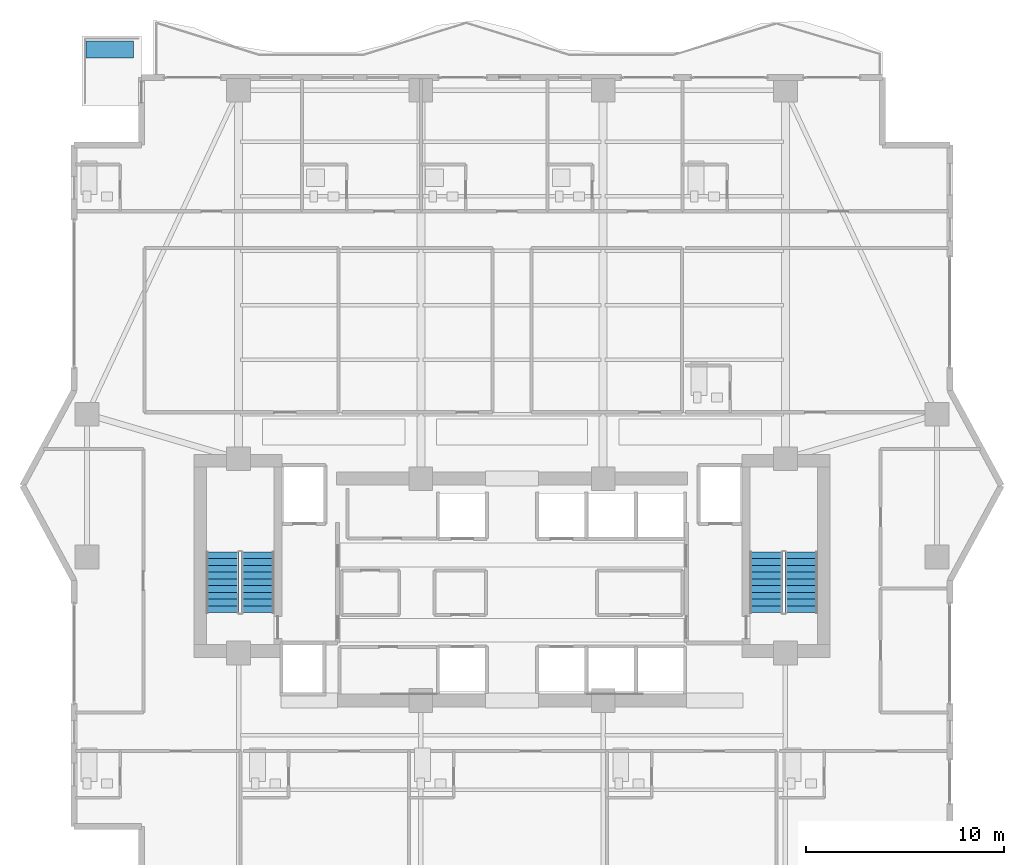
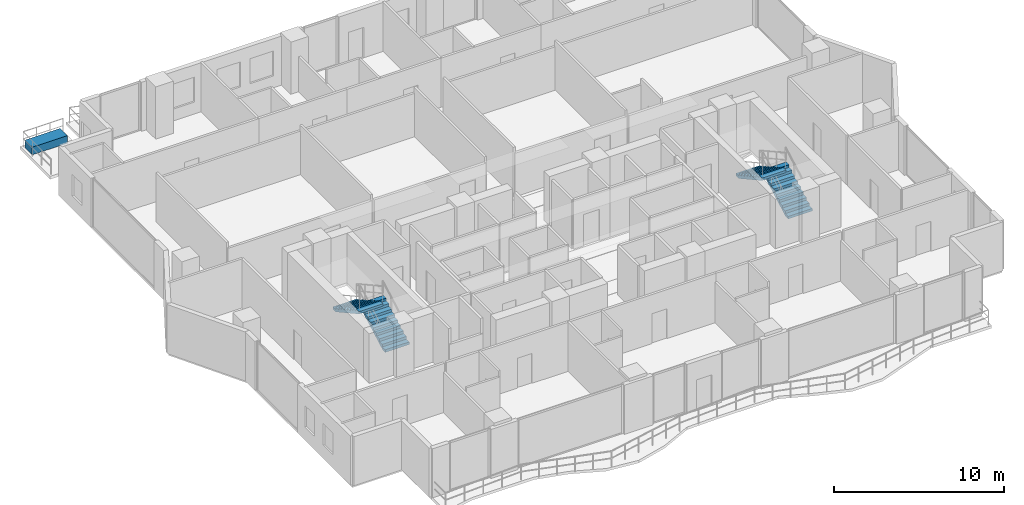
# One storey, part 28 of 32: 4 stair flights, 1 building element part, 2 elements without a shape of their own.
"""IFC4 building model written with IfcOpenShell, lengths in metres."""

from ifc_helpers import new_model, si_unit, direction, frame, origin, origin_2d, place, context, subcontext, project, spatial, polyline, rectangle, outline, extrude, material, layer, layer_set, type_object, element, aggregate, save


model = new_model("IFC4")

# Units and contexts
model_context = context("Model", 3, precision=1e-05, world=origin(), true_north=direction((0.0, 1.0)))
body_context = subcontext(model_context, "Body", "Model", "MODEL_VIEW")
ifc_project = project(units=[si_unit("LENGTHUNIT", "METRE"), si_unit("AREAUNIT", "SQUARE_METRE"), si_unit("VOLUMEUNIT", "CUBIC_METRE"), si_unit("PLANEANGLEUNIT", "RADIAN"), si_unit("MASSUNIT", "GRAM", prefix="KILO")], contexts=[model_context])

# Site, building, storey
site_placement = place(None, origin())
site = spatial("IfcSite", under=ifc_project, at=site_placement, CompositionType="ELEMENT")
building_placement = place(site_placement, origin())
building = spatial("IfcBuilding", under=site, at=building_placement, Name="Zuhayl Quay Hotel", CompositionType="ELEMENT")
storey_placement = place(building_placement, frame((0.0, 0.0, 181.14990234375)))
storey = spatial("IfcBuildingStorey", under=building, at=storey_placement, Name="L45", CompositionType="ELEMENT", Elevation=181.14990234375)

# Stair, stair flights
ifc_material_1 = material(Name="Concrete C45/55", Category="concrete")
stair_type = type_object("IfcStairType", Name="ST_DOGLEG_TOWER", PredefinedType="HALF_TURN_STAIR", material=ifc_material_1)
stair_1_placement = place(storey_placement, origin())
stair_1 = element("IfcStair", 1, at=stair_1_placement, inside=storey, type_object=stair_type, Name="L45 Smokeproof Exit Stair ST1", PredefinedType="HALF_TURN_STAIR")
ifc_layer_1 = layer(ifc_material_1, 0.159912109375, Name="Concrete C45/55", Category="concrete")
ifc_layer_set_1 = layer_set([ifc_layer_1], Name="Concrete C45/55")
stair_flight_type = type_object("IfcStairFlightType", Name="SF_CONC_164", PredefinedType="STRAIGHT", material=ifc_layer_set_1)
stair_flight_1_placement = place(storey_placement, frame((-12.820068359375, 6.590087890625, 0.0), z_axis=(0.0, 0.0, 1.0), x_axis=(0.0, 1.0, 0.0)))
stair_flight_1 = element("IfcStairFlight", 2, at=stair_flight_1_placement, type_object=stair_flight_type, Name="ST1 flight 1", NumberOfRisers=10, NumberOfTreads=9, PredefinedType="STRAIGHT", RiserHeight=0.1875, TreadLength=0.34, context=body_context, shape_type="SweptSolid", body=[
    extrude(outline(polyline([(0.0, 0.0), (0.0, 0.1875), (0.340087890625, 0.1875), (0.340087890625, 0.375), (0.679931640625, 0.375), (0.679931640625, 0.5625), (1.02001953125, 0.5625), (1.02001953125, 0.75), (1.360107421875, 0.75), (1.360107421875, 0.9375), (1.699951171875, 0.9375), (1.699951171875, 1.125), (2.0400390625, 1.125), (2.0400390625, 1.3125), (2.3798828125, 1.3125), (2.3798828125, 1.5), (2.719970703125, 1.5), (2.719970703125, 1.6875), (3.06005859375, 1.6875), (3.06005859375, 1.875), (3.06005859375, 1.516357421875), (0.310302734375, 0.0), (0.0, 0.0)])), frame((0.0, 0.81982421875, 0.0), z_axis=(0.0, -1.0, 0.0), x_axis=(1.0, 0.0, 0.0)), (0.0, 0.0, 1.0), 1.639892578125),
])
stair_flight_2_placement = place(storey_placement, frame((-14.610107421875, 9.64990234375, 1.875), z_axis=(0.0, 0.0, 1.0), x_axis=(0.0, -1.0, 0.0)))
stair_flight_2 = element("IfcStairFlight", 3, at=stair_flight_2_placement, type_object=stair_flight_type, Name="ST1 flight 2", NumberOfRisers=10, NumberOfTreads=9, PredefinedType="STRAIGHT", RiserHeight=0.1875, TreadLength=0.34, context=body_context, shape_type="SweptSolid", body=[
    extrude(outline(polyline([(0.0, 0.0), (0.0, 0.1875), (0.340087890625, 0.1875), (0.340087890625, 0.375), (0.679931640625, 0.375), (0.679931640625, 0.5625), (1.02001953125, 0.5625), (1.02001953125, 0.75), (1.360107421875, 0.75), (1.360107421875, 0.9375), (1.699951171875, 0.9375), (1.699951171875, 1.125), (2.0400390625, 1.125), (2.0400390625, 1.3125), (2.3798828125, 1.3125), (2.3798828125, 1.5), (2.719970703125, 1.5), (2.719970703125, 1.6875), (3.06005859375, 1.6875), (3.06005859375, 1.875), (3.06005859375, 1.516357421875), (0.310302734375, 0.0), (0.0, 0.0)])), frame((0.0, 0.81982421875, 0.0), z_axis=(0.0, -1.0, 0.0), x_axis=(1.0, 0.0, 0.0)), (0.0, 0.0, 1.0), 1.639892578125),
])
aggregate(stair_1, [stair_flight_1, stair_flight_2])

stair_2_placement = place(storey_placement, origin())
stair_2 = element("IfcStair", 4, at=stair_2_placement, inside=storey, type_object=stair_type, Name="L45 Smokeproof Exit Stair ST2", PredefinedType="HALF_TURN_STAIR")
stair_flight_3_placement = place(storey_placement, frame((14.610107421875, 6.590087890625, 0.0), z_axis=(0.0, 0.0, 1.0), x_axis=(0.0, 1.0, 0.0)))
stair_flight_3 = element("IfcStairFlight", 5, at=stair_flight_3_placement, type_object=stair_flight_type, Name="ST2 flight 1", NumberOfRisers=10, NumberOfTreads=9, PredefinedType="STRAIGHT", RiserHeight=0.1875, TreadLength=0.34, context=body_context, shape_type="SweptSolid", body=[
    extrude(outline(polyline([(0.0, 0.0), (0.0, 0.1875), (0.340087890625, 0.1875), (0.340087890625, 0.375), (0.679931640625, 0.375), (0.679931640625, 0.5625), (1.02001953125, 0.5625), (1.02001953125, 0.75), (1.360107421875, 0.75), (1.360107421875, 0.9375), (1.699951171875, 0.9375), (1.699951171875, 1.125), (2.0400390625, 1.125), (2.0400390625, 1.3125), (2.3798828125, 1.3125), (2.3798828125, 1.5), (2.719970703125, 1.5), (2.719970703125, 1.6875), (3.06005859375, 1.6875), (3.06005859375, 1.875), (3.06005859375, 1.516357421875), (0.310302734375, 0.0), (0.0, 0.0)])), frame((0.0, 0.81982421875, 0.0), z_axis=(0.0, -1.0, 0.0), x_axis=(1.0, 0.0, 0.0)), (0.0, 0.0, 1.0), 1.639892578125),
])
stair_flight_4_placement = place(storey_placement, frame((12.820068359375, 9.64990234375, 1.875), z_axis=(0.0, 0.0, 1.0), x_axis=(0.0, -1.0, 0.0)))
stair_flight_4 = element("IfcStairFlight", 6, at=stair_flight_4_placement, type_object=stair_flight_type, Name="ST2 flight 2", NumberOfRisers=10, NumberOfTreads=9, PredefinedType="STRAIGHT", RiserHeight=0.1875, TreadLength=0.34, context=body_context, shape_type="SweptSolid", body=[
    extrude(outline(polyline([(0.0, 0.0), (0.0, 0.1875), (0.340087890625, 0.1875), (0.340087890625, 0.375), (0.679931640625, 0.375), (0.679931640625, 0.5625), (1.02001953125, 0.5625), (1.02001953125, 0.75), (1.360107421875, 0.75), (1.360107421875, 0.9375), (1.699951171875, 0.9375), (1.699951171875, 1.125), (2.0400390625, 1.125), (2.0400390625, 1.3125), (2.3798828125, 1.3125), (2.3798828125, 1.5), (2.719970703125, 1.5), (2.719970703125, 1.6875), (3.06005859375, 1.6875), (3.06005859375, 1.875), (3.06005859375, 1.516357421875), (0.310302734375, 0.0), (0.0, 0.0)])), frame((0.0, 0.81982421875, 0.0), z_axis=(0.0, -1.0, 0.0), x_axis=(1.0, 0.0, 0.0)), (0.0, 0.0, 1.0), 1.639892578125),
])
aggregate(stair_2, [stair_flight_3, stair_flight_4])

# Building element part
ifc_material_2 = material(Name="Precast concrete C45/55", Category="concrete")
ifc_layer_2 = layer(ifc_material_2, 0.550048828125, Name="Precast concrete C45/55", Category="concrete")
ifc_layer_set_2 = layer_set([ifc_layer_2], Name="Precast concrete C45/55")
building_element_part_type = type_object("IfcBuildingElementPartType", Name="PT_PLANTER_KERB", PredefinedType="PRECASTPANEL", material=ifc_layer_set_2)
building_element_part_placement = place(storey_placement, frame((-20.31005859375, 35.010009765625, 0.0), z_axis=(0.0, 0.0, 1.0), x_axis=(1.0, 0.0, 0.0)))
element("IfcBuildingElementPart", 7, at=building_element_part_placement, inside=storey, type_object=building_element_part_type, Name="L45 Spiral Sky-Terrace Planter Box NW", PredefinedType="PRECASTPANEL", context=body_context, shape_type="SweptSolid", body=[
    extrude(rectangle(XDim=2.39990234375, YDim=0.85009765625, at=origin_2d()), origin(), (0.0, 0.0, 1.0), 0.550048828125),
])

save(model, "model.ifc")
